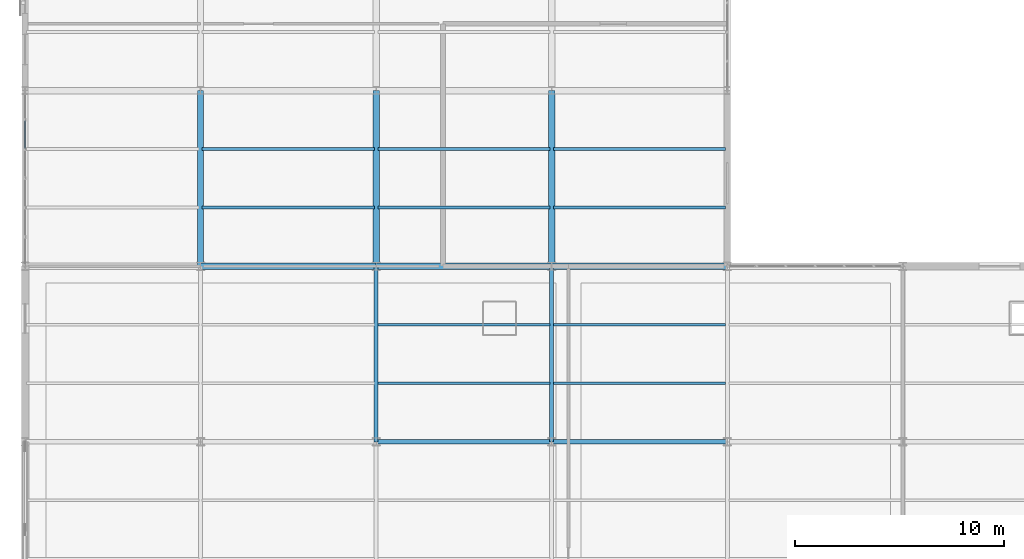
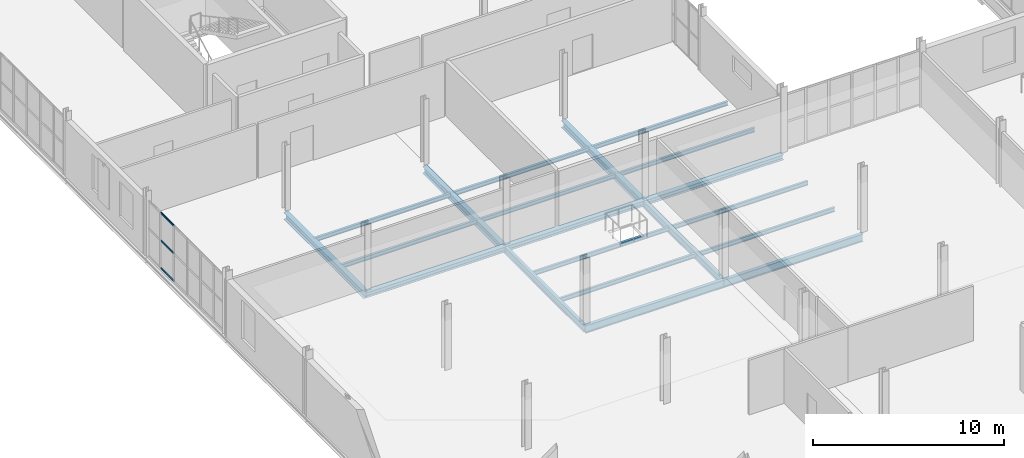
# One storey, part 39 of 163: 20 beams, 3 members, 1 element without a shape of its own.
"""IFC4 building model written with IfcOpenShell, lengths in metres."""

from ifc_helpers import new_model, si_unit, direction, frame, origin, origin_2d, place, context, subcontext, project, spatial, hollow_rectangle, i_section, extrude, material, layer, layer_set, material_profile, profile_set, type_object, element, aggregate, save


model = new_model("IFC4")

# Units and contexts
model_context = context("Model", 3, precision=1e-05, world=origin(), true_north=direction((0.0, 1.0)))
body_context = subcontext(model_context, "Body", "Model", "MODEL_VIEW")
ifc_project = project(units=[si_unit("LENGTHUNIT", "METRE"), si_unit("AREAUNIT", "SQUARE_METRE"), si_unit("VOLUMEUNIT", "CUBIC_METRE"), si_unit("PLANEANGLEUNIT", "RADIAN"), si_unit("MASSUNIT", "GRAM", prefix="KILO")], contexts=[model_context])

# Site, building, storey
site_placement = place(None, origin())
site = spatial("IfcSite", under=ifc_project, at=site_placement, CompositionType="ELEMENT")
building_placement = place(site_placement, origin())
building = spatial("IfcBuilding", under=site, at=building_placement, Name="Qalvenar Corner Mobility Hub", CompositionType="ELEMENT")
storey_placement = place(building_placement, frame((0.0, 0.0, 4.800048828125)))
storey = spatial("IfcBuildingStorey", under=building, at=storey_placement, Name="L01", CompositionType="ELEMENT", Elevation=4.800048828125)

# Beams
ifc_material_1 = material(Name="Steel S355", Category="steel")
ifc_material_profile_1 = material_profile(ifc_material_1, i_section(OverallWidth=0.300048828125, OverallDepth=0.43994140625, WebThickness=0.011474609375, FlangeThickness=0.02099609375, FilletRadius=0.027099609375, at=origin_2d()), Name="HEA450")
ifc_profile_set_1 = profile_set([ifc_material_profile_1], Name="Steel S355")
beam_type_1 = type_object("IfcBeamType", Name="BM-HEA450", PredefinedType="BEAM", material=ifc_profile_set_1)
for number, where, z_axis, x_axis, name in (
    (1, (8.39990234375, 42.0, -0.400146484375), (0.0, 1.0, 0.0), (-1.0, 0.0, 0.0), "Primary Steel Girder GY-1186"),
    (2, (16.800048828125, 42.0, -0.400146484375), (0.0, 1.0, 0.0), (-1.0, 0.0, 0.0), "Primary Steel Girder GY-1192"),
    (3, (25.199951171875, 42.0, -0.400146484375), (0.0, 1.0, 0.0), (-1.0, 0.0, 0.0), "Primary Steel Girder GY-1198"),
):
    element("IfcBeam", number, at=place(storey_placement, frame(where, z_axis=z_axis, x_axis=x_axis)), inside=storey, type_object=beam_type_1, Name=name, PredefinedType="BEAM", context=body_context, shape_type="SweptSolid", body=[
        extrude(i_section(OverallWidth=0.300048828125, OverallDepth=0.43994140625, WebThickness=0.011474609375, FlangeThickness=0.02099609375, FilletRadius=0.027099609375, at=origin_2d()), origin(), (0.0, 0.0, 1.0), 8.39990234375),
    ])
ifc_material_profile_2 = material_profile(ifc_material_1, i_section(OverallWidth=0.18994140625, OverallDepth=0.449951171875, WebThickness=0.009521484375, FlangeThickness=0.0146484375, FilletRadius=0.02099609375, at=origin_2d()), Name="IPE450")
ifc_profile_set_2 = profile_set([ifc_material_profile_2], Name="Steel S355")
beam_type_2 = type_object("IfcBeamType", Name="BM-IPE450", PredefinedType="BEAM", material=ifc_profile_set_2)
for number, where, z_axis, x_axis, name in (
    (4, (16.800048828125, 33.60009765625, -0.405029296875), (0.0, 1.0, 0.0), (-1.0, 0.0, 0.0), "Primary Steel Girder GY-0865"),
    (5, (25.199951171875, 33.60009765625, -0.405029296875), (0.0, 1.0, 0.0), (-1.0, 0.0, 0.0), "Primary Steel Girder GY-0870"),
):
    element("IfcBeam", number, at=place(storey_placement, frame(where, z_axis=z_axis, x_axis=x_axis)), inside=storey, type_object=beam_type_2, Name=name, PredefinedType="BEAM", context=body_context, shape_type="SweptSolid", body=[
        extrude(i_section(OverallWidth=0.18994140625, OverallDepth=0.449951171875, WebThickness=0.009521484375, FlangeThickness=0.0146484375, FilletRadius=0.02099609375, at=origin_2d()), origin(), (0.0, 0.0, 1.0), 8.39990234375),
    ])
ifc_material_profile_3 = material_profile(ifc_material_1, i_section(OverallWidth=0.199951171875, OverallDepth=0.5, WebThickness=0.01025390625, FlangeThickness=0.01611328125, FilletRadius=0.02099609375, at=origin_2d()), Name="IPE500")
ifc_profile_set_3 = profile_set([ifc_material_profile_3], Name="Steel S355")
beam_type_3 = type_object("IfcBeamType", Name="BM-IPE500", PredefinedType="BEAM", material=ifc_profile_set_3)
beam_1_placement = place(storey_placement, frame((16.800048828125, 33.60009765625, -0.429931640625), z_axis=(1.0, 0.0, 0.0), x_axis=(0.0, 1.0, 0.0)))
element("IfcBeam", 6, at=beam_1_placement, inside=storey, type_object=beam_type_3, Name="Primary Steel Girder GX-0841", PredefinedType="BEAM", context=body_context, shape_type="SweptSolid", body=[
    extrude(i_section(OverallWidth=0.199951171875, OverallDepth=0.5, WebThickness=0.01025390625, FlangeThickness=0.01611328125, FilletRadius=0.02099609375, at=origin_2d()), origin(), (0.0, 0.0, 1.0), 8.39990234375),
])
beam_2_placement = place(storey_placement, frame((25.199951171875, 33.60009765625, -0.429931640625), z_axis=(1.0, 0.0, 0.0), x_axis=(0.0, 1.0, 0.0)))
element("IfcBeam", 7, at=beam_2_placement, inside=storey, type_object=beam_type_3, Name="Primary Steel Girder GX-0842", PredefinedType="BEAM", context=body_context, shape_type="SweptSolid", body=[
    extrude(i_section(OverallWidth=0.199951171875, OverallDepth=0.5, WebThickness=0.01025390625, FlangeThickness=0.01611328125, FilletRadius=0.02099609375, at=origin_2d()), origin(), (0.0, 0.0, 1.0), 8.400146484375),
])
ifc_material_profile_4 = material_profile(ifc_material_1, i_section(OverallWidth=0.14599609375, OverallDepth=0.258056640625, WebThickness=0.006103515625, FlangeThickness=0.009033203125, FilletRadius=0.011962890625, at=origin_2d()), Name="W250x32.7")
ifc_profile_set_4 = profile_set([ifc_material_profile_4], Name="Steel S355")
beam_type_4 = type_object("IfcBeamType", Name="BM-JST250", PredefinedType="JOIST", material=ifc_profile_set_4)
for number, where, z_axis, x_axis, name in (
    (8, (8.47802734375, 44.800048828125, -0.30908203125), (1.0, 0.0, 0.0), (0.0, 1.0, 0.0), "Composite Floor Joist J-1222"),
    (9, (8.47802734375, 47.60009765625, -0.30908203125), (1.0, 0.0, 0.0), (0.0, 1.0, 0.0), "Composite Floor Joist J-1223"),
):
    element("IfcBeam", number, at=place(storey_placement, frame(where, z_axis=z_axis, x_axis=x_axis)), inside=storey, type_object=beam_type_4, Name=name, PredefinedType="JOIST", context=body_context, shape_type="SweptSolid", body=[
        extrude(i_section(OverallWidth=0.14599609375, OverallDepth=0.258056640625, WebThickness=0.006103515625, FlangeThickness=0.009033203125, FilletRadius=0.011962890625, at=origin_2d()), origin(), (0.0, 0.0, 1.0), 8.243896484375),
    ])
for number, where, z_axis, x_axis, name in (
    (10, (16.8779296875, 44.800048828125, -0.30908203125), (1.0, 0.0, 0.0), (0.0, 1.0, 0.0), "Composite Floor Joist J-1232"),
    (11, (16.8779296875, 47.60009765625, -0.30908203125), (1.0, 0.0, 0.0), (0.0, 1.0, 0.0), "Composite Floor Joist J-1233"),
):
    element("IfcBeam", number, at=place(storey_placement, frame(where, z_axis=z_axis, x_axis=x_axis)), inside=storey, type_object=beam_type_4, Name=name, PredefinedType="JOIST", context=body_context, shape_type="SweptSolid", body=[
        extrude(i_section(OverallWidth=0.14599609375, OverallDepth=0.258056640625, WebThickness=0.006103515625, FlangeThickness=0.009033203125, FilletRadius=0.011962890625, at=origin_2d()), origin(), (0.0, 0.0, 1.0), 8.244140625),
    ])
for number, where, z_axis, x_axis, name in (
    (12, (25.278076171875, 44.800048828125, -0.30908203125), (1.0, 0.0, 0.0), (0.0, 1.0, 0.0), "Composite Floor Joist J-1244"),
    (13, (25.278076171875, 47.60009765625, -0.30908203125), (1.0, 0.0, 0.0), (0.0, 1.0, 0.0), "Composite Floor Joist J-1245"),
):
    element("IfcBeam", number, at=place(storey_placement, frame(where, z_axis=z_axis, x_axis=x_axis)), inside=storey, type_object=beam_type_4, Name=name, PredefinedType="JOIST", context=body_context, shape_type="SweptSolid", body=[
        extrude(i_section(OverallWidth=0.14599609375, OverallDepth=0.258056640625, WebThickness=0.006103515625, FlangeThickness=0.009033203125, FilletRadius=0.011962890625, at=origin_2d()), origin(), (0.0, 0.0, 1.0), 8.243896484375),
    ])
ifc_material_profile_5 = material_profile(ifc_material_1, i_section(OverallWidth=0.135009765625, OverallDepth=0.27001953125, WebThickness=0.006591796875, FlangeThickness=0.01025390625, FilletRadius=0.014892578125, at=origin_2d()), Name="IPE270")
ifc_profile_set_5 = profile_set([ifc_material_profile_5], Name="Steel S355")
beam_type_5 = type_object("IfcBeamType", Name="BM-JST270", PredefinedType="JOIST", material=ifc_profile_set_5)
for number, where, z_axis, x_axis, name in (
    (14, (16.8779296875, 36.39990234375, -0.31494140625), (1.0, 0.0, 0.0), (0.0, 1.0, 0.0), "Composite Floor Joist J-0913"),
    (15, (16.8779296875, 39.199951171875, -0.31494140625), (1.0, 0.0, 0.0), (0.0, 1.0, 0.0), "Composite Floor Joist J-0914"),
):
    element("IfcBeam", number, at=place(storey_placement, frame(where, z_axis=z_axis, x_axis=x_axis)), inside=storey, type_object=beam_type_5, Name=name, PredefinedType="JOIST", context=body_context, shape_type="SweptSolid", body=[
        extrude(i_section(OverallWidth=0.135009765625, OverallDepth=0.27001953125, WebThickness=0.006591796875, FlangeThickness=0.01025390625, FilletRadius=0.014892578125, at=origin_2d()), origin(), (0.0, 0.0, 1.0), 8.244140625),
    ])
for number, where, z_axis, x_axis, name in (
    (16, (25.278076171875, 36.39990234375, -0.31494140625), (1.0, 0.0, 0.0), (0.0, 1.0, 0.0), "Composite Floor Joist J-0923"),
    (17, (25.278076171875, 39.199951171875, -0.31494140625), (1.0, 0.0, 0.0), (0.0, 1.0, 0.0), "Composite Floor Joist J-0924"),
):
    element("IfcBeam", number, at=place(storey_placement, frame(where, z_axis=z_axis, x_axis=x_axis)), inside=storey, type_object=beam_type_5, Name=name, PredefinedType="JOIST", context=body_context, shape_type="SweptSolid", body=[
        extrude(i_section(OverallWidth=0.135009765625, OverallDepth=0.27001953125, WebThickness=0.006591796875, FlangeThickness=0.01025390625, FilletRadius=0.014892578125, at=origin_2d()), origin(), (0.0, 0.0, 1.0), 8.243896484375),
    ])
ifc_material_profile_6 = material_profile(ifc_material_1, i_section(OverallWidth=0.300048828125, OverallDepth=0.330078125, WebThickness=0.009521484375, FlangeThickness=0.0166015625, FilletRadius=0.027099609375, at=origin_2d()), Name="HEA340")
ifc_profile_set_6 = profile_set([ifc_material_profile_6], Name="Steel S355")
beam_type_6 = type_object("IfcBeamType", Name="BM-SPN340", PredefinedType="SPANDREL", material=ifc_profile_set_6)
beam_3_placement = place(storey_placement, frame((8.39990234375, 42.0, -0.344970703125), z_axis=(1.0, 0.0, 0.0), x_axis=(0.0, 1.0, 0.0)))
element("IfcBeam", 18, at=beam_3_placement, inside=storey, type_object=beam_type_6, Name="Primary Steel Girder GX-0846", PredefinedType="SPANDREL", context=body_context, shape_type="SweptSolid", body=[
    extrude(i_section(OverallWidth=0.300048828125, OverallDepth=0.330078125, WebThickness=0.009521484375, FlangeThickness=0.0166015625, FilletRadius=0.027099609375, at=origin_2d()), origin(), (0.0, 0.0, 1.0), 8.400146484375),
])
beam_4_placement = place(storey_placement, frame((16.800048828125, 42.0, -0.344970703125), z_axis=(1.0, 0.0, 0.0), x_axis=(0.0, 1.0, 0.0)))
element("IfcBeam", 19, at=beam_4_placement, inside=storey, type_object=beam_type_6, Name="Primary Steel Girder GX-0847", PredefinedType="SPANDREL", context=body_context, shape_type="SweptSolid", body=[
    extrude(i_section(OverallWidth=0.300048828125, OverallDepth=0.330078125, WebThickness=0.009521484375, FlangeThickness=0.0166015625, FilletRadius=0.027099609375, at=origin_2d()), origin(), (0.0, 0.0, 1.0), 8.39990234375),
])
beam_5_placement = place(storey_placement, frame((25.199951171875, 42.0, -0.344970703125), z_axis=(1.0, 0.0, 0.0), x_axis=(0.0, 1.0, 0.0)))
element("IfcBeam", 20, at=beam_5_placement, inside=storey, type_object=beam_type_6, Name="Primary Steel Girder GX-0848", PredefinedType="SPANDREL", context=body_context, shape_type="SweptSolid", body=[
    extrude(i_section(OverallWidth=0.300048828125, OverallDepth=0.330078125, WebThickness=0.009521484375, FlangeThickness=0.0166015625, FilletRadius=0.027099609375, at=origin_2d()), origin(), (0.0, 0.0, 1.0), 8.400146484375),
])

# Curtain wall, members
ifc_material_2 = material(Name="Anodised Aluminium and Low-E Glazing", Category="aluminium")
ifc_layer = layer(ifc_material_2, 0.14990234375)
ifc_layer_set = layer_set([ifc_layer], Name="Anodised Aluminium and Low-E Glazing")
curtain_wall_type = type_object("IfcCurtainWallType", Name="CW-CYC-84X39", PredefinedType="NOTDEFINED", material=ifc_layer_set)
curtain_wall_placement = place(storey_placement, origin())
curtain_wall = element("IfcCurtainWall", 21, at=curtain_wall_placement, inside=storey, type_object=curtain_wall_type, Name="Glazed Curtain Wall CW-V5-L01-W0", PredefinedType="NOTDEFINED")
ifc_material_3 = material(Name="Anodised Aluminium 6063-T6", Category="aluminium")
ifc_material_profile_7 = material_profile(ifc_material_3, hollow_rectangle(XDim=0.054931640625, YDim=0.1201171875, WallThickness=0.00341796875, InnerFilletRadius=0.00341796875, OuterFilletRadius=0.007080078125, at=origin_2d()), Name="RHS120x55x3.5")
ifc_profile_set_7 = profile_set([ifc_material_profile_7], Name="Anodised Aluminium 6063-T6")
member_type = type_object("IfcMemberType", Name="CW-TRN120", PredefinedType="USERDEFINED", material=ifc_profile_set_7)
member_1_placement = place(storey_placement, frame((0.0, 48.969970703125, 0.02734375), z_axis=(0.0, -1.0, 0.0), x_axis=(1.0, 0.0, 0.0)))
member_1 = element("IfcMember", 22, at=member_1_placement, type_object=member_type, Name="CW-08 transom 2.1", ObjectType="TRANSOM", PredefinedType="USERDEFINED", context=body_context, shape_type="SweptSolid", body=[
    extrude(hollow_rectangle(XDim=0.054931640625, YDim=0.1201171875, WallThickness=0.00341796875, InnerFilletRadius=0.00341796875, OuterFilletRadius=0.007080078125, at=origin_2d()), origin(), (0.0, 0.0, 1.0), 1.340087890625),
])
member_2_placement = place(storey_placement, frame((0.0, 48.969970703125, 1.784912109375), z_axis=(0.0, -1.0, 0.0), x_axis=(1.0, 0.0, 0.0)))
member_2 = element("IfcMember", 23, at=member_2_placement, type_object=member_type, Name="CW-08 transom 2.2", ObjectType="TRANSOM", PredefinedType="USERDEFINED", context=body_context, shape_type="SweptSolid", body=[
    extrude(hollow_rectangle(XDim=0.054931640625, YDim=0.1201171875, WallThickness=0.00341796875, InnerFilletRadius=0.00341796875, OuterFilletRadius=0.007080078125, at=origin_2d()), origin(), (0.0, 0.0, 1.0), 1.340087890625),
])
member_3_placement = place(storey_placement, frame((0.0, 48.969970703125, 3.54248046875), z_axis=(0.0, -1.0, 0.0), x_axis=(1.0, 0.0, 0.0)))
member_3 = element("IfcMember", 24, at=member_3_placement, type_object=member_type, Name="CW-08 transom 2.3", ObjectType="TRANSOM", PredefinedType="USERDEFINED", context=body_context, shape_type="SweptSolid", body=[
    extrude(hollow_rectangle(XDim=0.054931640625, YDim=0.1201171875, WallThickness=0.00341796875, InnerFilletRadius=0.00341796875, OuterFilletRadius=0.007080078125, at=origin_2d()), origin(), (0.0, 0.0, 1.0), 1.340087890625),
])
aggregate(curtain_wall, [member_1, member_2, member_3])

save(model, "model.ifc")
